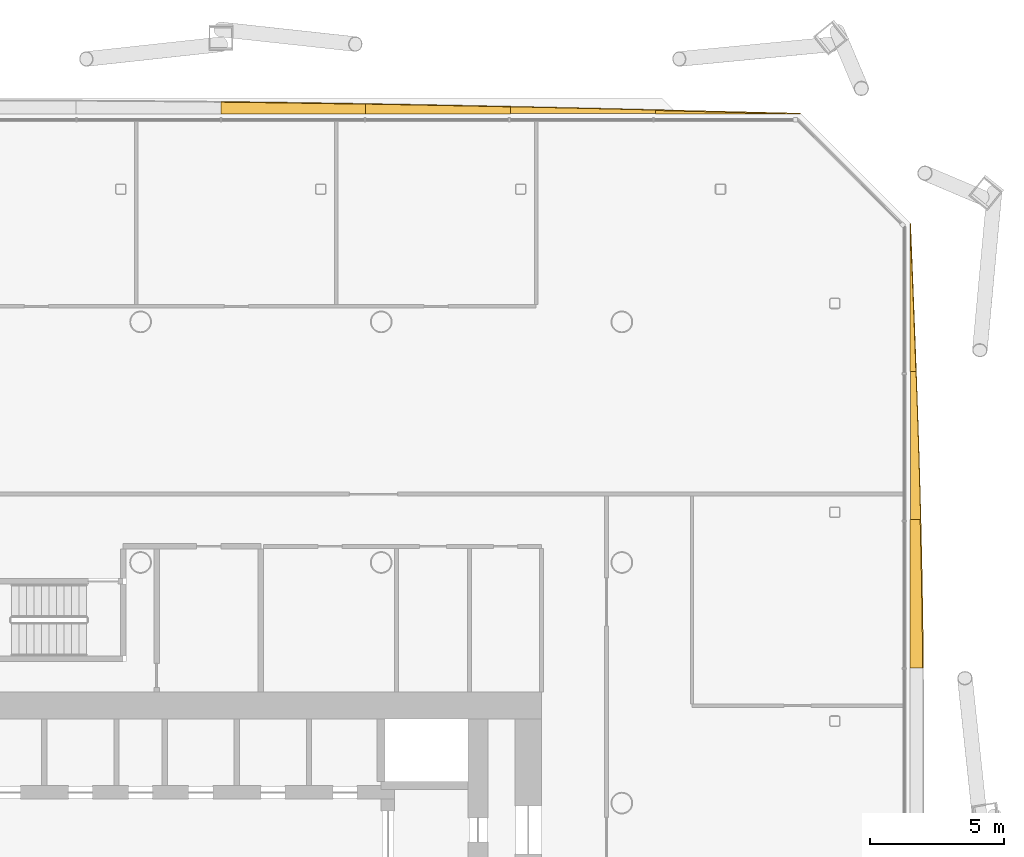
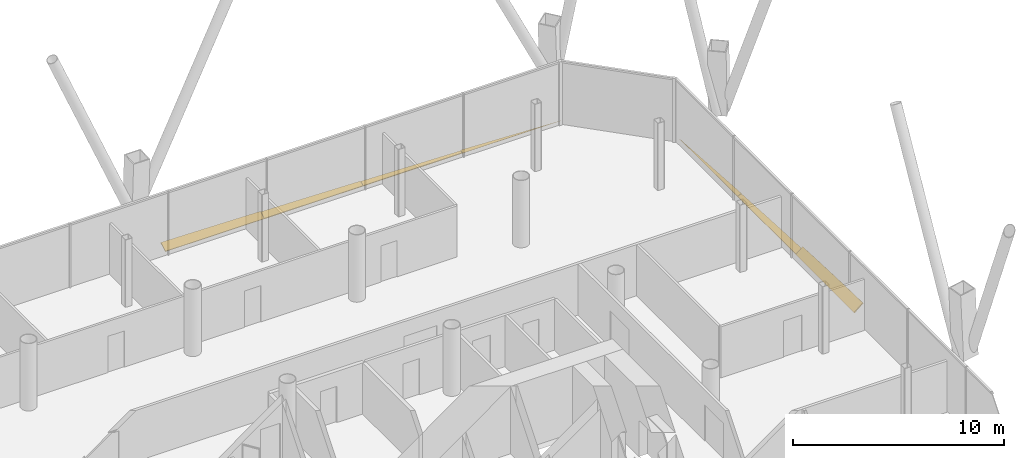
# One storey, part 22 of 23: 7 shading devices.
"""IFC4 building model written with IfcOpenShell, lengths in metres."""

from ifc_helpers import new_model, si_unit, direction, frame, origin, place, context, subcontext, project, spatial, polyline, outline, extrude, material, layer, layer_set, type_object, element, save


model = new_model("IFC4")

# Units and contexts
model_context = context("Model", 3, precision=1e-05, world=origin(), true_north=direction((0.0, 1.0)))
body_context = subcontext(model_context, "Body", "Model", "MODEL_VIEW")
ifc_project = project(units=[si_unit("LENGTHUNIT", "METRE"), si_unit("AREAUNIT", "SQUARE_METRE"), si_unit("VOLUMEUNIT", "CUBIC_METRE"), si_unit("PLANEANGLEUNIT", "RADIAN"), si_unit("MASSUNIT", "GRAM", prefix="KILO")], contexts=[model_context])

# Site, building, storey
site_placement = place(None, origin())
site = spatial("IfcSite", under=ifc_project, at=site_placement, CompositionType="ELEMENT")
building_placement = place(site_placement, origin())
building = spatial("IfcBuilding", under=site, at=building_placement, Name="Tskaro Facet Tower", CompositionType="ELEMENT")
storey_placement = place(building_placement, frame((0.0, 0.0, 62.10009765625)))
storey = spatial("IfcBuildingStorey", under=building, at=storey_placement, Name="L14", CompositionType="ELEMENT", Elevation=62.10009765625)

# Shading devices
ifc_material = material(Name="Bronze anodised aluminium 6063-T6", Category="aluminium")
ifc_layer = layer(ifc_material, 0.06005859375, Name="Bronze anodised aluminium 6063-T6")
ifc_layer_set = layer_set([ifc_layer], Name="Bronze anodised aluminium 6063-T6")
shading_device_type = type_object("IfcShadingDeviceType", Name="Bronze sun blade (FN1)", PredefinedType="USERDEFINED", material=ifc_layer_set)
shading_device_1_placement = place(storey_placement, frame((28.7705078125, 5.060546875, 0.0458984375), z_axis=(-0.642816216885, -2.90917e-06, 0.766020437913), x_axis=(-1.870062e-06, 0.999999999996, 2.228484e-06)))
element("IfcShadingDevice", 1, at=shading_device_1_placement, inside=storey, type_object=shading_device_type, Name="Fin blade east 6", ObjectType="FIN", PredefinedType="USERDEFINED", context=body_context, shape_type="SweptSolid", body=[
    extrude(outline(polyline([(0.0, 0.0), (5.53930664060156, -1.1729938073884778e-21), (5.539306640842963, -0.5042735031277297), (4.846923827767497, -0.5257791422693436), (4.15454101579919, -0.5456918685012497), (3.461914062768357, -0.5638848234260214), (2.7695312499249964, -0.5803580070436587), (2.077148437557224, -0.5947373859372103), (1.3847656247519256, -0.6073969935236273), (0.6923828124222158, -0.6179627963859586), (1.1153723856570058e-10, -0.6266218112326797), (0.0, 0.0)])), origin(), (0.0, 0.0, -1.0), 0.06005859375),
])
shading_device_2_placement = place(storey_placement, frame((28.78857421875, 10.599853515625, 0.056396484375), z_axis=(-0.341761901886, -1.2823566e-05, 0.939786572715), x_axis=(-4.382606e-06, 0.999999999918, 1.2051415e-05)))
element("IfcShadingDevice", 2, at=shading_device_2_placement, inside=storey, type_object=shading_device_type, Name="Fin blade east 7", ObjectType="FIN", PredefinedType="USERDEFINED", context=body_context, shape_type="SweptSolid", body=[
    extrude(outline(polyline([(0.0, 0.0), (5.539062499544568, 0.0), (5.539062500555775, -0.22837798000406362), (4.846679685966148, -0.2545551949261572), (4.154296874586438, -0.2800440896045068), (3.461914061602137, -0.30444834802919507), (2.7695312488855133, -0.3280808482458049), (2.07714843857651, -0.35048271009184007), (1.3847656255929437, -0.37202937576546197), (0.6923828131447306, -0.3920325250229268), (-9.080733859243283e-10, -0.41095103802673033), (0.0, 0.0)])), origin(), (0.0, 0.0, -1.0), 0.06005859375),
])
shading_device_3_placement = place(storey_placement, frame((28.78369140625, 16.138916015625, 0.05419921875), z_axis=(-0.423204234585, 1.65608e-05, 0.906034312571), x_axis=(7.008601e-06, 0.999999999863, -1.5004653e-05)))
element("IfcShadingDevice", 3, at=shading_device_3_placement, inside=storey, type_object=shading_device_type, Name="Fin blade east 8", ObjectType="FIN", PredefinedType="USERDEFINED", context=body_context, shape_type="SweptSolid", body=[
    extrude(outline(polyline([(0.0, 0.0), (5.539062499240429, 0.0), (4.846679687746964, -0.030692806660956928), (4.154296874542415, -0.061164413538541094), (3.461914061337865, -0.09163602041612527), (2.7695312483743937, -0.12156190638061558), (2.0771484373630824, -0.15116327121538475), (1.3847656246406879, -0.1805434362667812), (0.6923828141115312, -0.20905335927536267), (-1.550877944247887e-09, -0.23689968293382588), (0.0, 0.0)])), origin(), (0.0, 0.0, -1.0), 0.06005859375),
])
shading_device_4_placement = place(storey_placement, frame((24.677978515625, 25.7705078125, 0.0458984375), z_axis=(-1.7310822e-05, -0.642946276723, 0.765911277465), x_axis=(-0.99999999985, 1.1129929e-05, -1.3258554e-05)))
element("IfcShadingDevice", 4, at=shading_device_4_placement, inside=storey, type_object=shading_device_type, Name="Fin blade north 1", ObjectType="FIN", PredefinedType="USERDEFINED", context=body_context, shape_type="SweptSolid", body=[
    extrude(outline(polyline([(0.0, 0.0), (5.419433592937994, 0.0), (5.419433594562013, -0.17364455439148202), (4.741943359500876, -0.15232593937689715), (4.0646972650647015, -0.13100732436231227), (3.3872070305232493, -0.1093447499838604), (2.7097167959817963, -0.08768217560540853), (2.032226561960028, -0.06567564186308963), (1.3547363274185744, -0.04401306748463776), (0.6774902340217689, -0.02200653374231888), (0.0, 0.0)])), origin(), (0.0, 0.0, -1.0), 0.06005859375),
])
shading_device_5_placement = place(storey_placement, frame((19.258544921875, 25.78857421875, 0.056396484375), z_axis=(-7.023516e-06, -0.341631302491, 0.939834056155), x_axis=(-0.999999999975, 2.399453e-06, -6.60094e-06)))
element("IfcShadingDevice", 5, at=shading_device_5_placement, inside=storey, type_object=shading_device_type, Name="Fin blade north 2", ObjectType="FIN", PredefinedType="USERDEFINED", context=body_context, shape_type="SweptSolid", body=[
    extrude(outline(polyline([(0.0, 0.0), (5.419433593616331, 0.0), (5.419433594121251, -0.27247252226155083), (4.7421874990824255, -0.25695389415530445), (4.064697265030165, -0.24135185996934616), (3.387207031417854, -0.22520751635593278), (2.709716797219739, -0.20883372106864775), (2.0324707036466174, -0.19245992578136273), (1.3549804682768942, -0.1756272271463345), (0.6774902345187287, -0.15871112243159438), (1.7475924637407704e-10, -0.14156556604298265), (0.0, 0.0)])), origin(), (0.0, 0.0, -1.0), 0.06005859375),
])
shading_device_6_placement = place(storey_placement, frame((13.839111328125, 25.78369140625, 0.05419921875), z_axis=(-1.436957e-05, -0.42282198803, 0.906212759915), x_axis=(-0.999999999897, 6.07577e-06, -1.3021888e-05)))
element("IfcShadingDevice", 6, at=shading_device_6_placement, inside=storey, type_object=shading_device_type, Name="Fin blade north 3", ObjectType="FIN", PredefinedType="USERDEFINED", context=body_context, shape_type="SweptSolid", body=[
    extrude(outline(polyline([(0.0, 0.0), (5.41967773381546, 0.0), (5.419677734475188, -0.3973548214859806), (4.742187498911483, -0.38446412416713105), (4.0646972650436055, -0.3712489554742381), (3.3872070313882157, -0.3574880720576904), (2.7099609385702887, -0.3431814739174881), (2.0324707036440435, -0.3286536324276743), (1.3549804689302858, -0.3135800762142058), (0.6774902327331858, -0.298285276651126), (-1.7680848238333302e-09, -0.28266600571400274), (0.0, 0.0)])), origin(), (0.0, 0.0, -1.0), 0.06005859375),
])
shading_device_7_placement = place(storey_placement, frame((8.41943359375, 25.779052734375, 0.0517578125), z_axis=(4.27406e-07, -0.50020624196, 0.865906297184), x_axis=(-1.0, -2.13791e-07, 3.70094e-07)))
element("IfcShadingDevice", 7, at=shading_device_7_placement, inside=storey, type_object=shading_device_type, Name="Fin blade north 4", ObjectType="FIN", PredefinedType="USERDEFINED", context=body_context, shape_type="SweptSolid", body=[
    extrude(outline(polyline([(0.0, 0.0), (5.419433593749504, 1.434512127925946e-22), (5.419433593747202, -0.5046839663445785), (4.741943359325765, -0.49559878077154307), (4.064453125060914, -0.48587938648474943), (3.387207031202192, -0.47558222729974636), (2.7097167968750555, -0.46465085940098505), (2.03222656250976, -0.45338596793309666), (1.3547363281203397, -0.4412426264223678), (0.6774902344081144, -0.42888788200705286), (-5.430409212407029e-12, -0.41586609045348344), (0.0, 0.0)])), origin(), (0.0, 0.0, -1.0), 0.06005859375),
])

save(model, "model.ifc")
